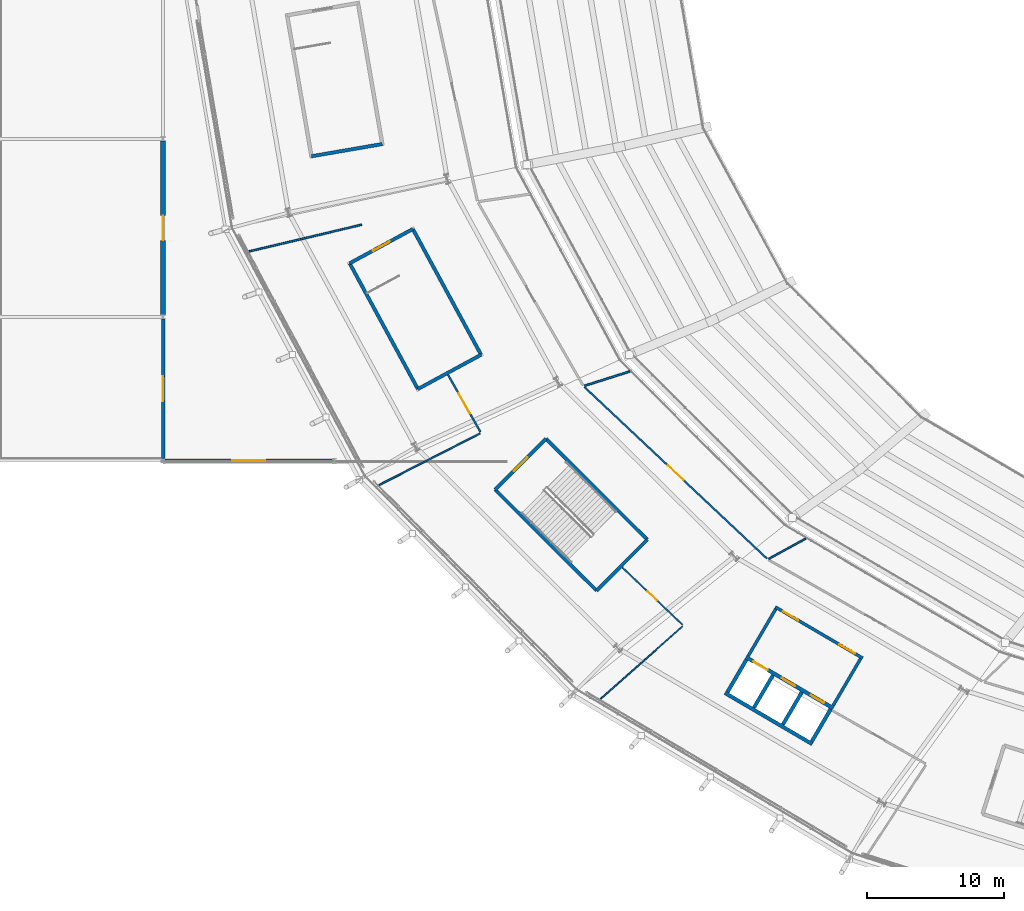
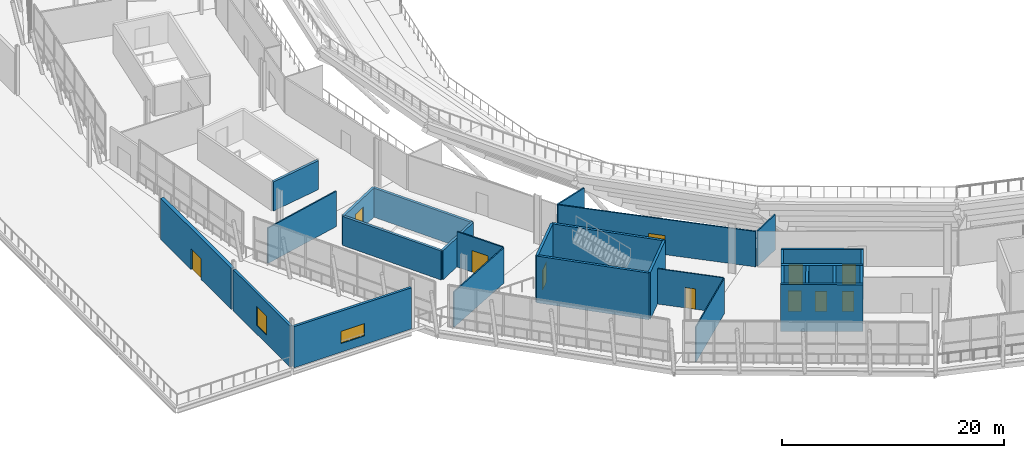
# One storey, part 94 of 126: 29 walls, 11 doors, 2 windows, 13 openings.
"""IFC4 building model written with IfcOpenShell, lengths in metres."""

from ifc_helpers import new_model, si_unit, direction, frame, frame_2d, origin, place, context, subcontext, project, spatial, rectangle, extrude, material, layer, layer_set, type_object, element, fill, save


model = new_model("IFC4")

# Units and contexts
model_context = context("Model", 3, precision=1e-05, world=origin(), true_north=direction((0.0, 1.0)))
body_context = subcontext(model_context, "Body", "Model", "MODEL_VIEW")
ifc_project = project(units=[si_unit("LENGTHUNIT", "METRE"), si_unit("AREAUNIT", "SQUARE_METRE"), si_unit("VOLUMEUNIT", "CUBIC_METRE"), si_unit("PLANEANGLEUNIT", "RADIAN"), si_unit("MASSUNIT", "GRAM", prefix="KILO")], contexts=[model_context])

# Site, building, storey
site_placement = place(None, origin())
site = spatial("IfcSite", under=ifc_project, at=site_placement, CompositionType="ELEMENT")
building_placement = place(site_placement, origin())
building = spatial("IfcBuilding", under=site, at=building_placement, Name="Zlatoyarsky Gate Stadium", CompositionType="ELEMENT")
storey_placement = place(building_placement, frame((0.0, 0.0, 20.800048828125)))
storey = spatial("IfcBuildingStorey", under=building, at=storey_placement, Name="L04", CompositionType="ELEMENT", Elevation=20.800048828125)

# Wall
ifc_material_1 = material(Name="Moisture-resistant masonry partition", Category="masonry")
ifc_layer_1 = layer(ifc_material_1, 0.139892578125)
ifc_layer_set_1 = layer_set([ifc_layer_1], Name="Moisture-resistant masonry partition")
wall_type_1 = type_object("IfcWallType", Name="ATHLETE CHANGING BLOCK PARTITION 140", PredefinedType="PARTITIONING", material=ifc_layer_set_1)
wall_1_placement = place(storey_placement, frame((46.103759765625, 50.020263671875, 0.0), z_axis=(0.0, 0.0, 1.0), x_axis=(-0.953034540869, -0.30286162502, 0.0)))
element("IfcWall", 1, at=wall_1_placement, inside=storey, type_object=wall_type_1, Name="L04 interior partition PRT-L04-IRD-14", PredefinedType="PARTITIONING", context=body_context, shape_type="SweptSolid", body=[
    extrude(rectangle(XDim=3.476806640625, YDim=0.139892578125, at=frame_2d((1.73828125, 0.0))), origin(), (0.0, 0.0, 1.0), 3.889892578125),
])

# Wall, opening, door
wall_2_placement = place(storey_placement, frame((32.813720703125, 49.7763671875, 0.0), z_axis=(0.0, 0.0, 1.0), x_axis=(0.493135708801, -0.869952396804, 0.0)))
wall_2 = element("IfcWall", 2, at=wall_2_placement, inside=storey, type_object=wall_type_1, Name="L04 interior partition PRT-L04-OCC-13-1", PredefinedType="PARTITIONING", context=body_context, shape_type="SweptSolid", body=[
    extrude(rectangle(XDim=4.80224609375, YDim=0.139892578125, at=frame_2d((2.401123046875, 0.0))), origin(), (0.0, 0.0, 1.0), 3.889892578125),
])
opening_1_placement = place(wall_2_placement, frame((1.56103515625, 0.0, 0.0)))
opening_1 = element("IfcOpeningElement", 3, at=opening_1_placement, cuts=wall_2, Name="Opening D-L04-583", PredefinedType="OPENING", context=body_context, shape_type="SweptSolid", body=[
    extrude(rectangle(XDim=1.679931640625, YDim=2.3798828125, at=frame_2d((0.83984375, 1.18994140625))), frame((0.0, 0.079833984375, 0.0), z_axis=(0.0, -1.0, 0.0), x_axis=(1.0, 0.0, 0.0)), (0.0, 0.0, 1.0), 0.159912109375),
])
ifc_material_2 = material(Name="Powder-coated steel fire door", Category="steel")
door_type_1 = type_object("IfcDoorType", Name="ACOUSTIC INTERIOR DOOR 1680X2380", OperationType="NOTDEFINED", PredefinedType="DOOR", material=ifc_material_2)
door_1_placement = place(opening_1_placement, origin())
door_1 = element("IfcDoor", 4, at=door_1_placement, inside=storey, type_object=door_type_1, Name="L04 room door D-L04-583", OperationType="SINGLE_SWING_LEFT", OverallHeight=2.3798828125, OverallWidth=1.679931640625, PredefinedType="DOOR", context=body_context, shape_type="SweptSolid", body=[
    extrude(rectangle(XDim=1.679931640625, YDim=2.3798828125, at=frame_2d((0.83984375, 1.18994140625))), frame((0.0, 0.02490234375, 0.0), z_axis=(0.0, -1.0, 0.0), x_axis=(1.0, 0.0, 0.0)), (0.0, 0.0, 1.0), 0.050048828125),
])
fill(opening_1, door_1)

# Walls
ifc_material_3 = material(Name="Concrete C40/50", Category="concrete")
ifc_layer_2 = layer(ifc_material_3, 0.27001953125)
ifc_layer_set_2 = layer_set([ifc_layer_2], Name="Concrete C40/50")
wall_type_2 = type_object("IfcWallType", Name="CONCRETE LIFT SHAFT SHEAR WALL 270", PredefinedType="SHEAR", material=ifc_layer_set_2)
wall_3_placement = place(storey_placement, frame((53.037353515625, 26.541015625, 0.0), z_axis=(0.0, 0.0, 1.0), x_axis=(0.862865684113, -0.505433290534, 0.0)))
element("IfcWall", 5, at=wall_3_placement, inside=storey, type_object=wall_type_2, Name="C3 L04 lift shaft rear wall", PredefinedType="SHEAR", context=body_context, shape_type="SweptSolid", body=[
    extrude(rectangle(XDim=7.400146484375, YDim=0.27001953125, at=frame_2d((3.7001953125, 0.0))), origin(), (0.0, 0.0, 1.0), 5.139892578125),
])
for number, where, z_axis, x_axis, name in (
    (6, (53.227294921875, 26.597900390625, 0.0), (0.0, 0.0, 1.0), (0.505465660416, 0.862846722275, 0.0), "C3 L04 lift shaft left wall"),
    (7, (59.37939453125, 22.993896484375, 0.0), (0.0, 0.0, 1.0), (0.505465660416, 0.862846722275, 0.0), "C3 L04 lift shaft right wall"),
):
    element("IfcWall", number, at=place(storey_placement, frame(where, z_axis=z_axis, x_axis=x_axis)), inside=storey, type_object=wall_type_2, Name=name, PredefinedType="SHEAR", context=body_context, shape_type="SweptSolid", body=[
        extrude(rectangle(XDim=2.739990234375, YDim=0.27001953125, at=frame_2d((1.3701171875, 0.0))), origin(), (0.0, 0.0, 1.0), 5.139892578125),
    ])
wall_4_placement = place(storey_placement, frame((55.159912109375, 25.4658203125, 0.0), z_axis=(0.0, 0.0, 1.0), x_axis=(0.505504523015, 0.862823954936, 0.0)))
element("IfcWall", 8, at=wall_4_placement, inside=storey, type_object=wall_type_2, Name="C3 L04 lift shaft divider 1", PredefinedType="SHEAR", context=body_context, shape_type="SweptSolid", body=[
    extrude(rectangle(XDim=2.73974609375, YDim=0.27001953125, at=frame_2d((1.369873046875, 0.0))), origin(), (0.0, 0.0, 1.0), 5.139892578125),
])
wall_5_placement = place(storey_placement, frame((57.27392578125, 24.227294921875, 0.0), z_axis=(0.0, 0.0, 1.0), x_axis=(0.505465660416, 0.862846722275, 0.0)))
element("IfcWall", 9, at=wall_5_placement, inside=storey, type_object=wall_type_2, Name="C3 L04 lift shaft divider 2", PredefinedType="SHEAR", context=body_context, shape_type="SweptSolid", body=[
    extrude(rectangle(XDim=2.739990234375, YDim=0.27001953125, at=frame_2d((1.3701171875, 0.0))), origin(), (0.0, 0.0, 1.0), 5.139892578125),
])

# Wall, openings, doors
wall_6_placement = place(storey_placement, frame((54.569091796875, 29.155517578125, 0.0), z_axis=(0.0, 0.0, 1.0), x_axis=(0.862842866418, -0.505472242434, 0.0)))
wall_6 = element("IfcWall", 10, at=wall_6_placement, inside=storey, type_object=wall_type_2, Name="C3 L04 lift landing front wall", PredefinedType="SHEAR", context=body_context, shape_type="SweptSolid", body=[
    extrude(rectangle(XDim=7.39990234375, YDim=0.27001953125, at=frame_2d((3.699951171875, 0.0))), origin(), (0.0, 0.0, 1.0), 5.139892578125),
])
opening_2_placement = place(wall_6_placement, frame((0.64990234375, 0.0, 0.0)))
opening_2 = element("IfcOpeningElement", 11, at=opening_2_placement, cuts=wall_6, Name="Opening LD-FL-03-L04", PredefinedType="OPENING", context=body_context, shape_type="SweptSolid", body=[
    extrude(rectangle(XDim=1.199951171875, YDim=2.25, at=frame_2d((0.60009765625, 1.125))), frame((0.0, 0.14501953125, 0.0), z_axis=(0.0, -1.0, 0.0), x_axis=(1.0, 0.0, 0.0)), (0.0, 0.0, 1.0), 0.2900390625),
])
opening_3_placement = place(wall_6_placement, frame((3.050048828125, 0.0, 0.0)))
opening_3 = element("IfcOpeningElement", 12, at=opening_3_placement, cuts=wall_6, Name="Opening LD-LF-05-L04", PredefinedType="OPENING", context=body_context, shape_type="SweptSolid", body=[
    extrude(rectangle(XDim=1.10009765625, YDim=2.199951171875, at=frame_2d((0.550048828125, 1.10009765625))), frame((0.0, 0.14501953125, 0.0), z_axis=(0.0, -1.0, 0.0), x_axis=(1.0, 0.0, 0.0)), (0.0, 0.0, 1.0), 0.2900390625),
])
opening_4_placement = place(wall_6_placement, frame((5.5, 0.0, 0.0)))
opening_4 = element("IfcOpeningElement", 13, at=opening_4_placement, cuts=wall_6, Name="Opening LD-LF-06-L04", PredefinedType="OPENING", context=body_context, shape_type="SweptSolid", body=[
    extrude(rectangle(XDim=1.10009765625, YDim=2.199951171875, at=frame_2d((0.550048828125, 1.10009765625))), frame((0.0, 0.14501953125, 0.0), z_axis=(0.0, -1.0, 0.0), x_axis=(1.0, 0.0, 0.0)), (0.0, 0.0, 1.0), 0.2900390625),
])
door_type_2 = type_object("IfcDoorType", Name="STAINLESS LIFT LANDING SLIDING DOOR 1100X2200", OperationType="DOUBLE_DOOR_SLIDING", PredefinedType="DOOR", material=ifc_material_2)
door_2_placement = place(opening_3_placement, origin())
door_2 = element("IfcDoor", 14, at=door_2_placement, inside=storey, type_object=door_type_2, Name="Lift LF-05 L04 sliding landing door", OperationType="DOUBLE_DOOR_SLIDING", OverallHeight=2.199951171875, OverallWidth=1.10009765625, PredefinedType="DOOR", context=body_context, shape_type="SweptSolid", body=[
    extrude(rectangle(XDim=1.10009765625, YDim=2.199951171875, at=frame_2d((0.550048828125, 1.10009765625))), frame((0.0, 0.02490234375, 0.0), z_axis=(0.0, -1.0, 0.0), x_axis=(1.0, 0.0, 0.0)), (0.0, 0.0, 1.0), 0.050048828125),
])
fill(opening_3, door_2)
door_3_placement = place(opening_4_placement, origin())
door_3 = element("IfcDoor", 15, at=door_3_placement, inside=storey, type_object=door_type_2, Name="Lift LF-06 L04 sliding landing door", OperationType="DOUBLE_DOOR_SLIDING", OverallHeight=2.199951171875, OverallWidth=1.10009765625, PredefinedType="DOOR", context=body_context, shape_type="SweptSolid", body=[
    extrude(rectangle(XDim=1.10009765625, YDim=2.199951171875, at=frame_2d((0.550048828125, 1.10009765625))), frame((0.0, 0.02490234375, 0.0), z_axis=(0.0, -1.0, 0.0), x_axis=(1.0, 0.0, 0.0)), (0.0, 0.0, 1.0), 0.050048828125),
])
fill(opening_4, door_3)
door_type_3 = type_object("IfcDoorType", Name="STAINLESS LIFT LANDING SLIDING DOOR 1200X2250", OperationType="DOUBLE_DOOR_SLIDING", PredefinedType="DOOR", material=ifc_material_2)
door_4_placement = place(opening_2_placement, origin())
door_4 = element("IfcDoor", 16, at=door_4_placement, inside=storey, type_object=door_type_3, Name="Lift FL-03 L04 sliding landing door", OperationType="DOUBLE_DOOR_SLIDING", OverallHeight=2.25, OverallWidth=1.199951171875, PredefinedType="DOOR", context=body_context, shape_type="SweptSolid", body=[
    extrude(rectangle(XDim=1.199951171875, YDim=2.25, at=frame_2d((0.60009765625, 1.125))), frame((0.0, 0.02490234375, 0.0), z_axis=(0.0, -1.0, 0.0), x_axis=(1.0, 0.0, 0.0)), (0.0, 0.0, 1.0), 0.050048828125),
])
fill(opening_2, door_4)

# Wall
ifc_layer_3 = layer(ifc_material_3, 0.25)
ifc_layer_set_3 = layer_set([ifc_layer_3], Name="Concrete C40/50")
wall_type_3 = type_object("IfcWallType", Name="CONCRETE STAIR CORE SHEAR WALL 250", PredefinedType="SHEAR", material=ifc_layer_set_3)
wall_7_placement = place(storey_placement, frame((22.83984375, 65.733154296875, 0.0), z_axis=(0.0, 0.0, 1.0), x_axis=(0.985457162135, 0.16992404655, 0.0)))
element("IfcWall", 17, at=wall_7_placement, inside=storey, type_object=wall_type_3, Name="ST-07 L04 stair core far shear wall", PredefinedType="SHEAR", context=body_context, shape_type="SweptSolid", body=[
    extrude(rectangle(XDim=5.25, YDim=0.25, at=frame_2d((2.625, 0.0))), origin(), (0.0, 0.0, 1.0), 3.199951171875),
])

# Wall, opening, door
wall_8_placement = place(storey_placement, frame((39.961181640625, 45.10205078125, 0.0), z_axis=(0.0, 0.0, 1.0), x_axis=(-0.705314141126, -0.708894888067, 0.0)))
wall_8 = element("IfcWall", 18, at=wall_8_placement, inside=storey, type_object=wall_type_3, Name="ST-08 L04 stair core entrance shear wall", PredefinedType="SHEAR", context=body_context, shape_type="SweptSolid", body=[
    extrude(rectangle(XDim=5.25, YDim=0.25, at=frame_2d((2.625, 0.0))), origin(), (0.0, 0.0, 1.0), 5.139892578125),
])
opening_5_placement = place(wall_8_placement, frame((1.925048828125, 0.0, 0.0)))
opening_5 = element("IfcOpeningElement", 19, at=opening_5_placement, cuts=wall_8, Name="Opening SD-ST-08-L04", PredefinedType="OPENING", context=body_context, shape_type="SweptSolid", body=[
    extrude(rectangle(XDim=1.39990234375, YDim=2.199951171875, at=frame_2d((0.699951171875, 1.10009765625))), frame((0.0, 0.135009765625, 0.0), z_axis=(0.0, -1.0, 0.0), x_axis=(1.0, 0.0, 0.0)), (0.0, 0.0, 1.0), 0.27001953125),
])
door_type_4 = type_object("IfcDoorType", Name="STAIR CORE FIRE EXIT DOOR 1400X2200", OperationType="NOTDEFINED", PredefinedType="DOOR", material=ifc_material_2)
door_5_placement = place(opening_5_placement, frame((1.39990234375, 0.0, 0.0), z_axis=(0.0, 0.0, 1.0), x_axis=(-1.0, 0.0, 0.0)))
door_5 = element("IfcDoor", 20, at=door_5_placement, inside=storey, type_object=door_type_4, Name="ST-08 L04 stair fire door", OperationType="SINGLE_SWING_RIGHT", OverallHeight=2.199951171875, OverallWidth=1.39990234375, PredefinedType="DOOR", context=body_context, shape_type="SweptSolid", body=[
    extrude(rectangle(XDim=1.39990234375, YDim=2.199951171875, at=frame_2d((0.699951171875, 1.10009765625))), frame((0.0, 0.02490234375, 0.0), z_axis=(0.0, -1.0, 0.0), x_axis=(1.0, 0.0, 0.0)), (0.0, 0.0, 1.0), 0.050048828125),
])
fill(opening_5, door_5)

# Walls
wall_9_placement = place(storey_placement, frame((36.25830078125, 41.38037109375, 0.0), z_axis=(0.0, 0.0, 1.0), x_axis=(0.708891762409, -0.705317282639, 0.0)))
element("IfcWall", 21, at=wall_9_placement, inside=storey, type_object=wall_type_3, Name="ST-08 L04 stair core left shear wall", PredefinedType="SHEAR", context=body_context, shape_type="SweptSolid", body=[
    extrude(rectangle(XDim=10.449951171875, YDim=0.25, at=frame_2d((5.22509765625, 0.0))), origin(), (0.0, 0.0, 1.0), 5.139892578125),
])
wall_10_placement = place(storey_placement, frame((43.666259765625, 34.009765625, 0.0), z_axis=(0.0, 0.0, 1.0), x_axis=(0.705314141126, 0.708894888067, 0.0)))
element("IfcWall", 22, at=wall_10_placement, inside=storey, type_object=wall_type_3, Name="ST-08 L04 stair core far shear wall", PredefinedType="SHEAR", context=body_context, shape_type="SweptSolid", body=[
    extrude(rectangle(XDim=5.25, YDim=0.25, at=frame_2d((2.625, 0.0))), origin(), (0.0, 0.0, 1.0), 5.139892578125),
])
wall_11_placement = place(storey_placement, frame((47.369140625, 37.7314453125, 0.0), z_axis=(0.0, 0.0, 1.0), x_axis=(-0.708891762409, 0.705317282639, 0.0)))
element("IfcWall", 23, at=wall_11_placement, inside=storey, type_object=wall_type_3, Name="ST-08 L04 stair core right shear wall", PredefinedType="SHEAR", context=body_context, shape_type="SweptSolid", body=[
    extrude(rectangle(XDim=10.449951171875, YDim=0.25, at=frame_2d((5.22509765625, 0.0))), origin(), (0.0, 0.0, 1.0), 5.139892578125),
])

# Wall, opening, door
wall_12_placement = place(storey_placement, frame((30.246337890625, 60.420166015625, 0.0), z_axis=(0.0, 0.0, 1.0), x_axis=(-0.878961487093, -0.47689275965, 0.0)))
wall_12 = element("IfcWall", 24, at=wall_12_placement, inside=storey, type_object=wall_type_3, Name="ST-15 L04 stair core entrance shear wall", PredefinedType="SHEAR", context=body_context, shape_type="SweptSolid", body=[
    extrude(rectangle(XDim=5.25, YDim=0.25, at=frame_2d((2.625, 0.0))), origin(), (0.0, 0.0, 1.0), 3.199951171875),
])
opening_6_placement = place(wall_12_placement, frame((1.925048828125, 0.0, 0.0)))
opening_6 = element("IfcOpeningElement", 25, at=opening_6_placement, cuts=wall_12, Name="Opening SD-ST-15-L04", PredefinedType="OPENING", context=body_context, shape_type="SweptSolid", body=[
    extrude(rectangle(XDim=1.39990234375, YDim=2.199951171875, at=frame_2d((0.699951171875, 1.10009765625))), frame((0.0, 0.135009765625, 0.0), z_axis=(0.0, -1.0, 0.0), x_axis=(1.0, 0.0, 0.0)), (0.0, 0.0, 1.0), 0.27001953125),
])
door_6_placement = place(opening_6_placement, frame((1.39990234375, 0.0, 0.0), z_axis=(0.0, 0.0, 1.0), x_axis=(-1.0, 0.0, 0.0)))
door_6 = element("IfcDoor", 26, at=door_6_placement, inside=storey, type_object=door_type_4, Name="ST-15 L04 stair fire door", OperationType="SINGLE_SWING_RIGHT", OverallHeight=2.199951171875, OverallWidth=1.39990234375, PredefinedType="DOOR", context=body_context, shape_type="SweptSolid", body=[
    extrude(rectangle(XDim=1.39990234375, YDim=2.199951171875, at=frame_2d((0.699951171875, 1.10009765625))), frame((0.0, 0.02490234375, 0.0), z_axis=(0.0, -1.0, 0.0), x_axis=(1.0, 0.0, 0.0)), (0.0, 0.0, 1.0), 0.050048828125),
])
fill(opening_6, door_6)

# Walls
wall_13_placement = place(storey_placement, frame((25.6318359375, 57.91650390625, 0.0), z_axis=(0.0, 0.0, 1.0), x_axis=(0.476876856974, -0.878970115125, 0.0)))
element("IfcWall", 27, at=wall_13_placement, inside=storey, type_object=wall_type_3, Name="ST-15 L04 stair core left shear wall", PredefinedType="SHEAR", context=body_context, shape_type="SweptSolid", body=[
    extrude(rectangle(XDim=10.4501953125, YDim=0.25, at=frame_2d((5.22509765625, 0.0))), origin(), (0.0, 0.0, 1.0), 3.199951171875),
])
wall_14_placement = place(storey_placement, frame((30.615234375, 48.731201171875, 0.0), z_axis=(0.0, 0.0, 1.0), x_axis=(0.878961487093, 0.47689275965, 0.0)))
element("IfcWall", 28, at=wall_14_placement, inside=storey, type_object=wall_type_3, Name="ST-15 L04 stair core far shear wall", PredefinedType="SHEAR", context=body_context, shape_type="SweptSolid", body=[
    extrude(rectangle(XDim=5.25, YDim=0.25, at=frame_2d((2.625, 0.0))), origin(), (0.0, 0.0, 1.0), 3.199951171875),
])
wall_15_placement = place(storey_placement, frame((35.229736328125, 51.23486328125, 0.0), z_axis=(0.0, 0.0, 1.0), x_axis=(-0.476876856974, 0.878970115125, 0.0)))
element("IfcWall", 29, at=wall_15_placement, inside=storey, type_object=wall_type_3, Name="ST-15 L04 stair core right shear wall", PredefinedType="SHEAR", context=body_context, shape_type="SweptSolid", body=[
    extrude(rectangle(XDim=10.4501953125, YDim=0.25, at=frame_2d((5.22509765625, 0.0))), origin(), (0.0, 0.0, 1.0), 3.199951171875),
])
ifc_material_4 = material(Name="Autoclaved aerated concrete masonry EI 120", Category="masonry")
ifc_layer_4 = layer(ifc_material_4, 0.219970703125)
ifc_layer_set_4 = layer_set([ifc_layer_4], Name="Autoclaved aerated concrete masonry EI 120")
wall_type_4 = type_object("IfcWallType", Name="FIREFIGHTING LOBBY RATED WALL 220", PredefinedType="PARTITIONING", material=ifc_layer_set_4)
for number, where, z_axis, x_axis, name in (
    (30, (54.7421875, 29.233642578125, 0.0), (0.0, 0.0, 1.0), (0.505464443681, 0.862847435051, 0.0), "C3 L04 firefighting lobby left wall"),
    (31, (60.9375, 25.6044921875, 0.0), (0.0, 0.0, 1.0), (0.505464443681, 0.862847435051, 0.0), "C3 L04 firefighting lobby right wall"),
):
    element("IfcWall", number, at=place(storey_placement, frame(where, z_axis=z_axis, x_axis=x_axis)), inside=storey, type_object=wall_type_4, Name=name, PredefinedType="PARTITIONING", context=body_context, shape_type="SweptSolid", body=[
        extrude(rectangle(XDim=3.97998046875, YDim=0.219970703125, at=frame_2d((1.989990234375, 0.0))), origin(), (0.0, 0.0, 1.0), 3.889892578125),
    ])

# Wall, openings, doors
wall_16_placement = place(storey_placement, frame((56.714599609375, 32.818359375, 0.0), z_axis=(0.0, 0.0, 1.0), x_axis=(0.862851295616, -0.505457853488, 0.0)))
wall_16 = element("IfcWall", 32, at=wall_16_placement, inside=storey, type_object=wall_type_4, Name="C3 L04 firefighting lobby front wall", PredefinedType="PARTITIONING", context=body_context, shape_type="SweptSolid", body=[
    extrude(rectangle(XDim=7.400146484375, YDim=0.219970703125, at=frame_2d((3.7001953125, 0.0))), origin(), (0.0, 0.0, 1.0), 3.889892578125),
])
opening_7_placement = place(wall_16_placement, frame((0.64990234375, 0.0, 0.0)))
opening_7 = element("IfcOpeningElement", 33, at=opening_7_placement, cuts=wall_16, Name="Opening FD-C3-L04-A", PredefinedType="OPENING", context=body_context, shape_type="SweptSolid", body=[
    extrude(rectangle(XDim=1.300048828125, YDim=2.199951171875, at=frame_2d((0.64990234375, 1.10009765625))), frame((0.0, 0.119873046875, 0.0), z_axis=(0.0, -1.0, 0.0), x_axis=(1.0, 0.0, 0.0)), (0.0, 0.0, 1.0), 0.239990234375),
])
opening_8_placement = place(wall_16_placement, frame((5.449951171875, 0.0, 0.0)))
opening_8 = element("IfcOpeningElement", 34, at=opening_8_placement, cuts=wall_16, Name="Opening FD-C3-L04-B", PredefinedType="OPENING", context=body_context, shape_type="SweptSolid", body=[
    extrude(rectangle(XDim=1.300048828125, YDim=2.199951171875, at=frame_2d((0.64990234375, 1.10009765625))), frame((0.0, 0.119873046875, 0.0), z_axis=(0.0, -1.0, 0.0), x_axis=(1.0, 0.0, 0.0)), (0.0, 0.0, 1.0), 0.239990234375),
])
door_type_5 = type_object("IfcDoorType", Name="FIREFIGHTING LOBBY FIRE DOOR 1300X2200", OperationType="NOTDEFINED", PredefinedType="DOOR", material=ifc_material_2)
door_7_placement = place(opening_7_placement, origin())
door_7 = element("IfcDoor", 35, at=door_7_placement, inside=storey, type_object=door_type_5, Name="C3 L04 firefighting lobby fire door FD-C3-L04-A", OperationType="SINGLE_SWING_LEFT", OverallHeight=2.199951171875, OverallWidth=1.300048828125, PredefinedType="DOOR", context=body_context, shape_type="SweptSolid", body=[
    extrude(rectangle(XDim=1.300048828125, YDim=2.199951171875, at=frame_2d((0.64990234375, 1.10009765625))), frame((0.0, 0.02490234375, 0.0), z_axis=(0.0, -1.0, 0.0), x_axis=(1.0, 0.0, 0.0)), (0.0, 0.0, 1.0), 0.050048828125),
])
fill(opening_7, door_7)
door_8_placement = place(opening_8_placement, origin())
door_8 = element("IfcDoor", 36, at=door_8_placement, inside=storey, type_object=door_type_5, Name="C3 L04 firefighting lobby fire door FD-C3-L04-B", OperationType="SINGLE_SWING_RIGHT", OverallHeight=2.199951171875, OverallWidth=1.300048828125, PredefinedType="DOOR", context=body_context, shape_type="SweptSolid", body=[
    extrude(rectangle(XDim=1.300048828125, YDim=2.199951171875, at=frame_2d((0.64990234375, 1.10009765625))), frame((0.0, 0.02490234375, 0.0), z_axis=(0.0, -1.0, 0.0), x_axis=(1.0, 0.0, 0.0)), (0.0, 0.0, 1.0), 0.050048828125),
])
fill(opening_8, door_8)

# Wall, opening, door
ifc_material_5 = material(Name="Metal-stud gypsum partition", Category="gypsum")
ifc_layer_5 = layer(ifc_material_5, 0.110107421875)
ifc_layer_set_5 = layer_set([ifc_layer_5], Name="Metal-stud gypsum partition")
wall_type_5 = type_object("IfcWallType", Name="KIOSK SERVICE PARTITION 110", PredefinedType="PARTITIONING", material=ifc_layer_set_5)
wall_17_placement = place(storey_placement, frame((45.5380859375, 35.706787109375, 0.0), z_axis=(0.0, 0.0, 1.0), x_axis=(0.724304111995, -0.689480640299, 0.0)))
wall_17 = element("IfcWall", 37, at=wall_17_placement, inside=storey, type_object=wall_type_5, Name="L04 interior partition PRT-L04-OCC-14-1", PredefinedType="PARTITIONING", context=body_context, shape_type="SweptSolid", body=[
    extrude(rectangle(XDim=6.078369140625, YDim=0.110107421875, at=frame_2d((3.0390625, 0.0))), origin(), (0.0, 0.0, 1.0), 3.889892578125),
])
opening_9_placement = place(wall_17_placement, frame((2.55908203125, 0.0, 0.0)))
opening_9 = element("IfcOpeningElement", 38, at=opening_9_placement, cuts=wall_17, Name="Opening D-L04-586", PredefinedType="OPENING", context=body_context, shape_type="SweptSolid", body=[
    extrude(rectangle(XDim=0.9599609375, YDim=2.239990234375, at=frame_2d((0.47998046875, 1.1201171875))), frame((0.0, 0.06494140625, 0.0), z_axis=(0.0, -1.0, 0.0), x_axis=(1.0, 0.0, 0.0)), (0.0, 0.0, 1.0), 0.130126953125),
])
ifc_material_6 = material(Name="Solid-core oak veneer acoustic door", Category="wood")
door_type_6 = type_object("IfcDoorType", Name="ACOUSTIC INTERIOR DOOR 960X2240", OperationType="NOTDEFINED", PredefinedType="DOOR", material=ifc_material_6)
door_9_placement = place(opening_9_placement, origin())
door_9 = element("IfcDoor", 39, at=door_9_placement, inside=storey, type_object=door_type_6, Name="L04 room door D-L04-586", OperationType="SINGLE_SWING_RIGHT", OverallHeight=2.239990234375, OverallWidth=0.9599609375, PredefinedType="DOOR", context=body_context, shape_type="SweptSolid", body=[
    extrude(rectangle(XDim=0.9599609375, YDim=2.239990234375, at=frame_2d((0.47998046875, 1.1201171875))), frame((0.0, 0.02490234375, 0.0), z_axis=(0.0, -1.0, 0.0), x_axis=(1.0, 0.0, 0.0)), (0.0, 0.0, 1.0), 0.050048828125),
])
fill(opening_9, door_9)

# Wall
ifc_layer_6 = layer(ifc_material_5, 0.10009765625)
ifc_layer_set_6 = layer_set([ifc_layer_6], Name="Metal-stud gypsum partition")
wall_type_6 = type_object("IfcWallType", Name="LIGHT STORAGE PARTITION 100", PredefinedType="PARTITIONING", material=ifc_layer_set_6)
wall_18_placement = place(storey_placement, frame((49.938720703125, 31.40087890625, 0.0), z_axis=(0.0, 0.0, 1.0), x_axis=(-0.748727077111, -0.662878393071, 0.0)))
element("IfcWall", 40, at=wall_18_placement, inside=storey, type_object=wall_type_6, Name="L04 interior partition PRT-L04-ORD-14R", PredefinedType="PARTITIONING", context=body_context, shape_type="SweptSolid", body=[
    extrude(rectangle(XDim=8.025390625, YDim=0.10009765625, at=frame_2d((4.0126953125, 0.0))), origin(), (0.0, 0.0, 1.0), 3.889892578125),
])

# Wall, opening, door
ifc_material_7 = material(Name="Limestone-faced insulated masonry wall", Category="masonry")
ifc_layer_7 = layer(ifc_material_7, 0.360107421875)
ifc_layer_set_7 = layer_set([ifc_layer_7], Name="Limestone-faced insulated masonry wall")
wall_type_7 = type_object("IfcWallType", Name="LIMESTONE CLAD CAVITY WALL 360", PredefinedType="STANDARD", material=ifc_layer_set_7)
wall_19_placement = place(storey_placement, frame((12.0, 54.14697265625, 0.0), z_axis=(0.0, 0.0, 1.0), x_axis=(0.0, 1.0, 0.0)))
wall_19 = element("IfcWall", 41, at=wall_19_placement, inside=storey, type_object=wall_type_7, Name="V4_WEST L04 W_HI exterior wall", PredefinedType="STANDARD", context=body_context, shape_type="SweptSolid", body=[
    extrude(rectangle(XDim=12.7060546875, YDim=0.360107421875, at=frame_2d((6.35302734375, 0.0))), origin(), (0.0, 0.0, 1.0), 4.52001953125),
])
opening_10_placement = place(wall_19_placement, frame((5.452880859375, 0.0, 0.0)))
opening_10 = element("IfcOpeningElement", 42, at=opening_10_placement, cuts=wall_19, Name="Opening TD-01", PredefinedType="OPENING", context=body_context, shape_type="SweptSolid", body=[
    extrude(rectangle(XDim=1.800048828125, YDim=2.300048828125, at=frame_2d((0.89990234375, 1.14990234375))), frame((0.0, 0.18994140625, 0.0), z_axis=(0.0, -1.0, 0.0), x_axis=(1.0, 0.0, 0.0)), (0.0, 0.0, 1.0), 0.380126953125),
])
ifc_material_8 = material(Name="Thermally broken powder-coated steel and laminated safety glass", Category="steel")
door_type_7 = type_object("IfcDoorType", Name="GLAZED TERRACE DOUBLE DOOR 1800X2300", OperationType="DOUBLE_DOOR_SINGLE_SWING", PredefinedType="DOOR", material=ifc_material_8)
door_10_placement = place(opening_10_placement, origin())
door_10 = element("IfcDoor", 43, at=door_10_placement, inside=storey, type_object=door_type_7, Name="Exterior door TD-01", OperationType="DOUBLE_DOOR_SINGLE_SWING", OverallHeight=2.300048828125, OverallWidth=1.800048828125, PredefinedType="DOOR", context=body_context, shape_type="SweptSolid", body=[
    extrude(rectangle(XDim=1.800048828125, YDim=2.300048828125, at=frame_2d((0.89990234375, 1.14990234375))), frame((0.0, 0.02490234375, 0.0), z_axis=(0.0, -1.0, 0.0), x_axis=(1.0, 0.0, 0.0)), (0.0, 0.0, 1.0), 0.050048828125),
])
fill(opening_10, door_10)

# Walls
ifc_layer_8 = layer(ifc_material_5, 0.1201171875)
ifc_layer_set_8 = layer_set([ifc_layer_8], Name="Metal-stud gypsum partition")
wall_type_8 = type_object("IfcWallType", Name="OFFICE AND PRESS PARTITION 120", PredefinedType="PARTITIONING", material=ifc_layer_set_8)
wall_20_placement = place(storey_placement, frame((58.93408203125, 37.80859375, 0.0), z_axis=(0.0, 0.0, 1.0), x_axis=(-0.876262963102, -0.481833186379, 0.0)))
element("IfcWall", 44, at=wall_20_placement, inside=storey, type_object=wall_type_8, Name="L04 interior partition PRT-L04-IRD-15", PredefinedType="PARTITIONING", context=body_context, shape_type="SweptSolid", body=[
    extrude(rectangle(XDim=3.06689453125, YDim=0.1201171875, at=frame_2d((1.533447265625, 0.0))), origin(), (0.0, 0.0, 1.0), 3.889892578125),
])
wall_21_placement = place(storey_placement, frame((35.14794921875, 45.486083984375, 0.0), z_axis=(0.0, 0.0, 1.0), x_axis=(-0.890417397142, -0.455144876788, 0.0)))
element("IfcWall", 45, at=wall_21_placement, inside=storey, type_object=wall_type_8, Name="L04 interior partition PRT-L04-ORD-13R", PredefinedType="PARTITIONING", context=body_context, shape_type="SweptSolid", body=[
    extrude(rectangle(XDim=8.26806640625, YDim=0.1201171875, at=frame_2d((4.134033203125, 0.0))), origin(), (0.0, 0.0, 1.0), 3.889892578125),
])

# Wall, opening, window
ifc_layer_9 = layer(ifc_material_7, 0.260009765625)
ifc_layer_set_9 = layer_set([ifc_layer_9], Name="Limestone-faced insulated masonry wall")
wall_type_9 = type_object("IfcWallType", Name="PORTICO COLONNADE PLINTH WALL 260", PredefinedType="STANDARD", material=ifc_layer_set_9)
wall_22_placement = place(storey_placement, frame((12.0, 43.64697265625, 0.0), z_axis=(0.0, 0.0, 1.0), x_axis=(0.0, 1.0, 0.0)))
wall_22 = element("IfcWall", 46, at=wall_22_placement, inside=storey, type_object=wall_type_9, Name="V4_WEST L04 W_HI exterior wall", PredefinedType="STANDARD", context=body_context, shape_type="SweptSolid", body=[
    extrude(rectangle(XDim=10.2060546875, YDim=0.260009765625, at=frame_2d((5.10302734375, 0.0))), origin(), (0.0, 0.0, 1.0), 4.52001953125),
])
opening_11_placement = place(wall_22_placement, frame((4.202880859375, 0.0, 0.949951171875)))
opening_11 = element("IfcOpeningElement", 47, at=opening_11_placement, cuts=wall_22, Name="Opening WN-12", PredefinedType="OPENING", context=body_context, shape_type="SweptSolid", body=[
    extrude(rectangle(XDim=1.800048828125, YDim=2.10009765625, at=frame_2d((0.89990234375, 1.050048828125))), frame((0.0, 0.139892578125, 0.0), z_axis=(0.0, -1.0, 0.0), x_axis=(1.0, 0.0, 0.0)), (0.0, 0.0, 1.0), 0.280029296875),
])
ifc_material_9 = material(Name="Triple-glazed thermally broken aluminium window", Category="aluminium")
window_type_1 = type_object("IfcWindowType", Name="TRIPLE GLAZED ALUMINIUM WINDOW 1800X2100", PartitioningType="SINGLE_PANEL", PredefinedType="WINDOW", material=ifc_material_9)
window_1_placement = place(opening_11_placement, origin())
window_1 = element("IfcWindow", 48, at=window_1_placement, inside=storey, type_object=window_type_1, Name="Exterior window WIN-L04-040", OverallHeight=2.10009765625, OverallWidth=1.800048828125, PartitioningType="SINGLE_PANEL", PredefinedType="WINDOW", context=body_context, shape_type="SweptSolid", body=[
    extrude(rectangle(XDim=1.800048828125, YDim=2.10009765625, at=frame_2d((0.89990234375, 1.050048828125))), frame((0.0, 0.030029296875, 0.0), z_axis=(0.0, -1.0, 0.0), x_axis=(1.0, 0.0, 0.0)), (0.0, 0.0, 1.0), 0.06005859375),
])
fill(opening_11, window_1)

wall_23_placement = place(storey_placement, frame((12.14697265625, 43.5, 0.0), z_axis=(0.0, 0.0, 1.0), x_axis=(1.0, 0.0, 0.0)))
wall_23 = element("IfcWall", 49, at=wall_23_placement, inside=storey, type_object=wall_type_9, Name="V4_WEST L04 S exterior wall", PredefinedType="STANDARD", context=body_context, shape_type="SweptSolid", body=[
    extrude(rectangle(XDim=12.2060546875, YDim=0.260009765625, at=frame_2d((6.10302734375, 0.0))), origin(), (0.0, 0.0, 1.0), 4.52001953125),
])
opening_12_placement = place(wall_23_placement, frame((4.903076171875, 0.0, 0.949951171875)))
opening_12 = element("IfcOpeningElement", 50, at=opening_12_placement, cuts=wall_23, Name="Opening WN-17", PredefinedType="OPENING", context=body_context, shape_type="SweptSolid", body=[
    extrude(rectangle(XDim=2.39990234375, YDim=1.35009765625, at=frame_2d((1.199951171875, 0.675048828125))), frame((0.0, 0.139892578125, 0.0), z_axis=(0.0, -1.0, 0.0), x_axis=(1.0, 0.0, 0.0)), (0.0, 0.0, 1.0), 0.280029296875),
])
window_type_2 = type_object("IfcWindowType", Name="TRIPLE GLAZED ALUMINIUM WINDOW 2400X1350", PartitioningType="SINGLE_PANEL", PredefinedType="WINDOW", material=ifc_material_9)
window_2_placement = place(opening_12_placement, origin())
window_2 = element("IfcWindow", 51, at=window_2_placement, inside=storey, type_object=window_type_2, Name="Exterior window WIN-L04-045", OverallHeight=1.35009765625, OverallWidth=2.39990234375, PartitioningType="SINGLE_PANEL", PredefinedType="WINDOW", context=body_context, shape_type="SweptSolid", body=[
    extrude(rectangle(XDim=2.39990234375, YDim=1.35009765625, at=frame_2d((1.199951171875, 0.675048828125))), frame((0.0, 0.030029296875, 0.0), z_axis=(0.0, -1.0, 0.0), x_axis=(1.0, 0.0, 0.0)), (0.0, 0.0, 1.0), 0.06005859375),
])
fill(opening_12, window_2)

# Wall, opening, door
ifc_material_10 = material(Name="Moisture-resistant tile-backed partition", Category="gypsum")
ifc_layer_10 = layer(ifc_material_10, 0.1298828125)
ifc_layer_set_10 = layer_set([ifc_layer_10], Name="Moisture-resistant tile-backed partition")
wall_type_10 = type_object("IfcWallType", Name="SANITARY WET ROOM PARTITION 130", PredefinedType="PARTITIONING", material=ifc_layer_set_10)
wall_24_placement = place(storey_placement, frame((42.771240234375, 48.883544921875, 0.0), z_axis=(0.0, 0.0, 1.0), x_axis=(0.728706471044, -0.684826167037, 0.0)))
wall_24 = element("IfcWall", 52, at=wall_24_placement, inside=storey, type_object=wall_type_10, Name="L04 vomitory portal wall PRT-L04-ICC-14", PredefinedType="PARTITIONING", context=body_context, shape_type="SweptSolid", body=[
    extrude(rectangle(XDim=18.304931640625, YDim=0.1298828125, at=frame_2d((9.15234375, 0.0))), origin(), (0.0, 0.0, 1.0), 3.889892578125),
])
opening_13_placement = place(wall_24_placement, frame((8.372314453125, 0.0, 0.0)))
opening_13 = element("IfcOpeningElement", 53, at=opening_13_placement, cuts=wall_24, Name="Opening D-L04-534", PredefinedType="OPENING", context=body_context, shape_type="SweptSolid", body=[
    extrude(rectangle(XDim=1.56005859375, YDim=2.10009765625, at=frame_2d((0.780029296875, 1.050048828125))), frame((0.0, 0.074951171875, 0.0), z_axis=(0.0, -1.0, 0.0), x_axis=(1.0, 0.0, 0.0)), (0.0, 0.0, 1.0), 0.14990234375),
])
door_type_8 = type_object("IfcDoorType", Name="ACOUSTIC INTERIOR DOOR 1560X2100", OperationType="NOTDEFINED", PredefinedType="DOOR", material=ifc_material_6)
door_11_placement = place(opening_13_placement, origin())
door_11 = element("IfcDoor", 54, at=door_11_placement, inside=storey, type_object=door_type_8, Name="L04 vomitory portal door D-L04-534", OperationType="SINGLE_SWING_RIGHT", OverallHeight=2.10009765625, OverallWidth=1.56005859375, PredefinedType="DOOR", context=body_context, shape_type="SweptSolid", body=[
    extrude(rectangle(XDim=1.56005859375, YDim=2.10009765625, at=frame_2d((0.780029296875, 1.050048828125))), frame((0.0, 0.02490234375, 0.0), z_axis=(0.0, -1.0, 0.0), x_axis=(1.0, 0.0, 0.0)), (0.0, 0.0, 1.0), 0.050048828125),
])
fill(opening_13, door_11)

# Wall
wall_25_placement = place(storey_placement, frame((26.508056640625, 60.734619140625, 0.0), z_axis=(0.0, 0.0, 1.0), x_axis=(-0.972955470333, -0.230992754756, 0.0)))
element("IfcWall", 55, at=wall_25_placement, inside=storey, type_object=wall_type_10, Name="L04 interior partition PRT-L04-ORD-13L", PredefinedType="PARTITIONING", context=body_context, shape_type="SweptSolid", body=[
    extrude(rectangle(XDim=8.447998046875, YDim=0.1298828125, at=frame_2d((4.22412109375, 0.0))), origin(), (0.0, 0.0, 1.0), 3.889892578125),
])

save(model, "model.ifc")
